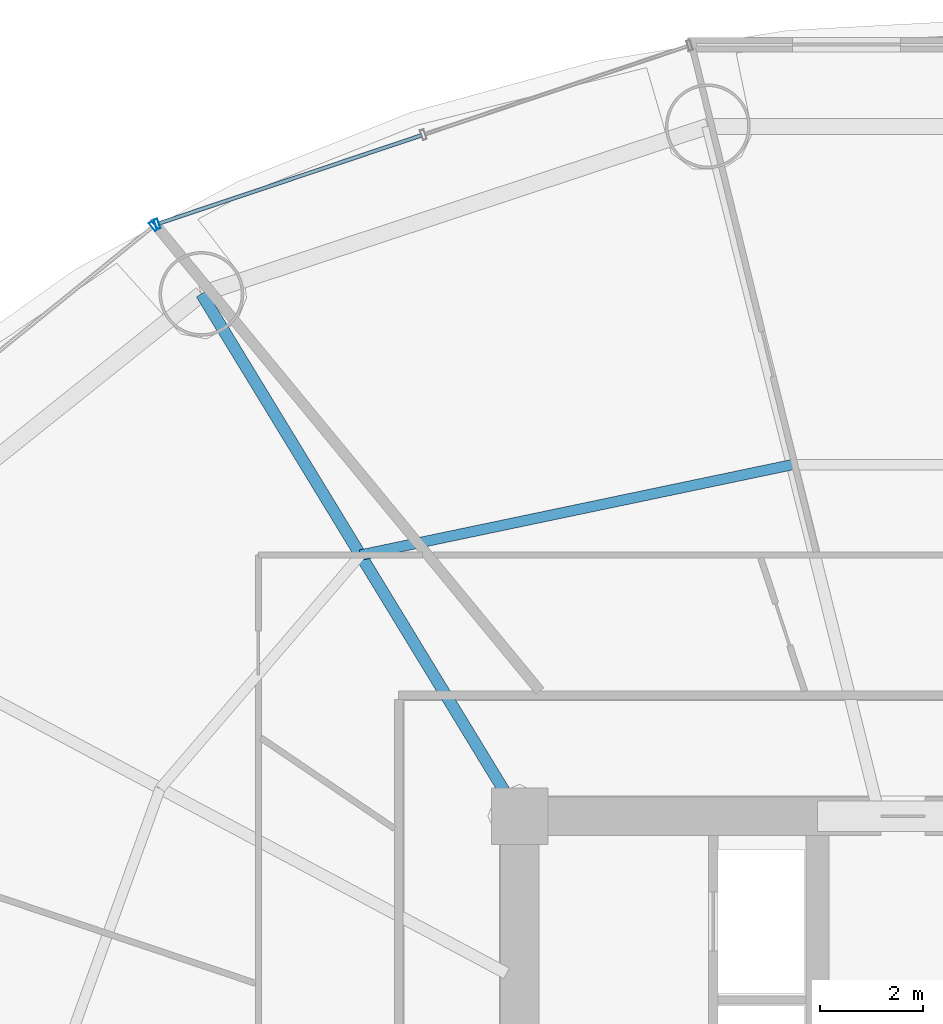
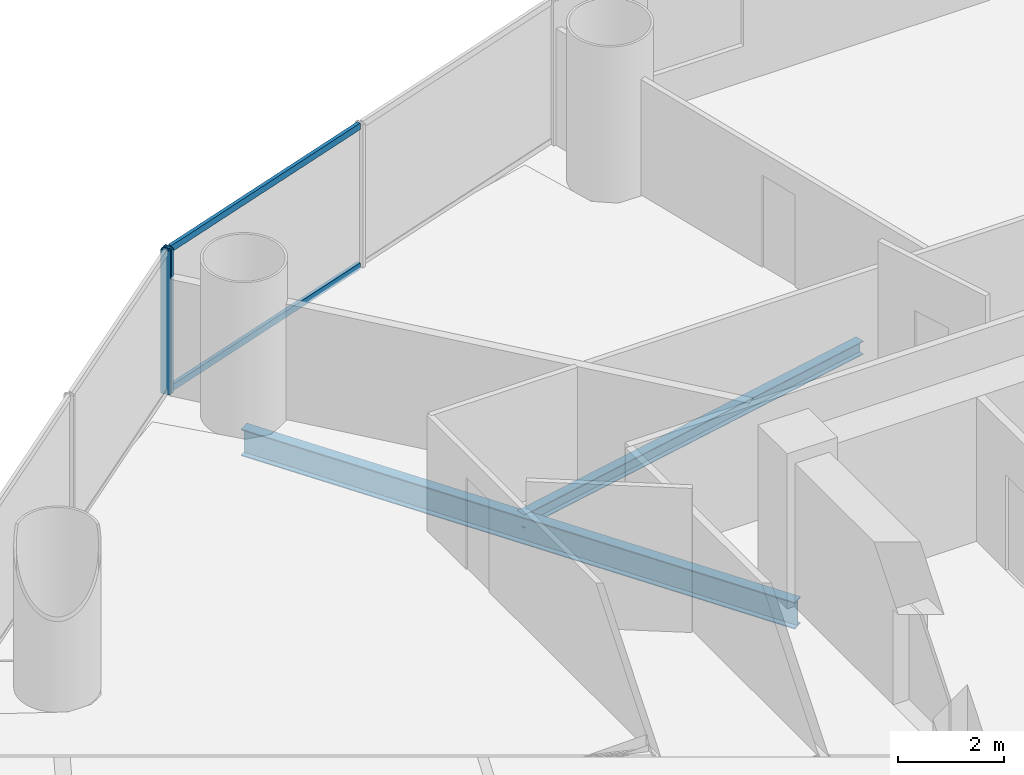
# One storey, part 14 of 28: 4 members, 2 beams, 2 elements without a shape of their own.
"""IFC4 building model written with IfcOpenShell, lengths in metres."""

from ifc_helpers import new_model, si_unit, direction, frame, origin, origin_2d, place, context, subcontext, project, spatial, hollow_rectangle, i_section, extrude, source, transform, mapped, material, material_profile, profile_set, type_object, element, aggregate, save


model = new_model("IFC4")

# Units and contexts
model_context = context("Model", 3, precision=1e-05, world=origin(), true_north=direction((-0.2419218956, 0.970295726276)))
body_context = subcontext(model_context, "Body", "Model", "MODEL_VIEW")
ifc_project = project(units=[si_unit("LENGTHUNIT", "METRE"), si_unit("AREAUNIT", "SQUARE_METRE"), si_unit("VOLUMEUNIT", "CUBIC_METRE"), si_unit("PLANEANGLEUNIT", "RADIAN"), si_unit("MASSUNIT", "GRAM", prefix="KILO")], contexts=[model_context])

# Site, building, storey
site_placement = place(None, origin())
site = spatial("IfcSite", under=ifc_project, at=site_placement, CompositionType="ELEMENT")
building_placement = place(site_placement, origin())
building = spatial("IfcBuilding", under=site, at=building_placement, Name="Cobrevalo Terracotta Tower", CompositionType="ELEMENT")
storey_placement = place(building_placement, frame((0.0, 0.0, 34.800048828125)))
storey = spatial("IfcBuildingStorey", under=building, at=storey_placement, Name="L08", CompositionType="ELEMENT", Elevation=34.800048828125)

# Beams
ifc_material_1 = material(Name="Steel S355", Category="steel")
ifc_material_profile_1 = material_profile(ifc_material_1, i_section(OverallWidth=0.22998046875, OverallDepth=0.616943359375, WebThickness=0.01318359375, FlangeThickness=0.022216796875, at=origin_2d()), Name="W 610x140")
ifc_profile_set_1 = profile_set([ifc_material_profile_1], Name="Steel S355")
beam_type_1 = type_object("IfcBeamType", Name="Structural Beam W 610x140 (Steel S355)", PredefinedType="BEAM", material=ifc_profile_set_1)
beam_1_placement = place(storey_placement, frame((22.80517578125, 44.967529296875, -0.588623046875), z_axis=(0.520309892051, -0.853977526773, 0.0), x_axis=(0.853977526773, 0.520309892051, 0.0)))
element("IfcBeam", 1, at=beam_1_placement, inside=storey, type_object=beam_type_1, Name="L08 radial floor girder 06", PredefinedType="BEAM", context=body_context, shape_type="SweptSolid", body=[
    extrude(i_section(OverallWidth=0.22998046875, OverallDepth=0.616943359375, WebThickness=0.01318359375, FlangeThickness=0.022216796875, at=origin_2d()), origin(), (0.0, 0.0, 1.0), 11.906005859375),
])
ifc_material_profile_2 = material_profile(ifc_material_1, i_section(OverallWidth=0.2041015625, OverallDepth=0.305908203125, WebThickness=0.008544921875, FlangeThickness=0.0146484375, at=origin_2d()), Name="W 310x67")
ifc_profile_set_2 = profile_set([ifc_material_profile_2], Name="Steel S355")
beam_type_2 = type_object("IfcBeamType", Name="Structural Joist W 310x67 (Steel S355)", PredefinedType="JOIST", material=ifc_profile_set_2)
beam_2_placement = place(storey_placement, frame((34.304443359375, 41.642578125, -0.43310546875), z_axis=(-0.978784523904, -0.204892302848, 0.0), x_axis=(0.204892302848, -0.978784523904, 0.0)))
element("IfcBeam", 2, at=beam_2_placement, inside=storey, type_object=beam_type_2, Name="L08 circumferential secondary floor joist 05", PredefinedType="JOIST", context=body_context, shape_type="SweptSolid", body=[
    extrude(i_section(OverallWidth=0.2041015625, OverallDepth=0.305908203125, WebThickness=0.008544921875, FlangeThickness=0.0146484375, at=origin_2d()), origin(), (0.0, 0.0, 1.0), 8.583984375),
])

# Curtain wall, member
ifc_material_2 = material(Name="Anodized aluminium", Category="aluminium")
curtain_wall_type = type_object("IfcCurtainWallType", Name="Lower-tower unitised acoustic low-E curtain wall CW-U1", PredefinedType="NOTDEFINED", material=ifc_material_2)
curtain_wall_1_placement = place(storey_placement, origin())
curtain_wall_1 = element("IfcCurtainWall", 3, at=curtain_wall_1_placement, inside=storey, type_object=curtain_wall_type, Name="L08 curtain wall CW-L08-S05", PredefinedType="NOTDEFINED")
ifc_material_profile_3 = material_profile(ifc_material_2, hollow_rectangle(XDim=0.074951171875, YDim=0.199951171875, WallThickness=0.0048828125, at=origin_2d()), Name="CWM 75x200")
ifc_profile_set_3 = profile_set([ifc_material_profile_3], Name="Anodized aluminium")
member_type_1 = type_object("IfcMemberType", Name="Lower/mid tower unitised mullion 75x200", PredefinedType="MULLION", material=ifc_profile_set_3)
shared_shape_1 = source(origin(), body_context, "Body", "SweptSolid", [
    extrude(hollow_rectangle(XDim=0.074951171875, YDim=0.199951171875, WallThickness=0.0048828125, at=origin_2d()), origin(), (0.0, 0.0, 1.0), 3.320068359375),
])
member_1_placement = place(storey_placement, frame((21.943115234375, 46.327392578125, 0.0), z_axis=(0.0, 0.0, 1.0), x_axis=(-0.948046393597, -0.318132103987, 0.0)))
member_1 = element("IfcMember", 4, at=member_1_placement, type_object=member_type_1, Name="CW-L08-S05 vertical mullion 03", PredefinedType="MULLION", context=body_context, shape_type="MappedRepresentation", body=[
    mapped(shared_shape_1, transform((0.0, 0.0, 0.0), scale=1.0)),
])

curtain_wall_2_placement = place(storey_placement, origin())
curtain_wall_2 = element("IfcCurtainWall", 5, at=curtain_wall_2_placement, inside=storey, type_object=curtain_wall_type, Name="L08 curtain wall CW-L08-S06", PredefinedType="NOTDEFINED")
member_2_placement = place(storey_placement, frame((21.8740234375, 46.289306640625, 0.0), z_axis=(0.0, 0.0, 1.0), x_axis=(-0.777003153187, -0.629496703675, 0.0)))
member_2 = element("IfcMember", 6, at=member_2_placement, type_object=member_type_1, Name="CW-L08-S06 vertical mullion 01", PredefinedType="MULLION", context=body_context, shape_type="MappedRepresentation", body=[
    mapped(shared_shape_1, transform((0.0, 0.0, 0.0), scale=1.0)),
])
aggregate(curtain_wall_2, [member_2])

# Member
ifc_material_profile_4 = material_profile(ifc_material_2, hollow_rectangle(XDim=0.074951171875, YDim=0.14990234375, WallThickness=0.00439453125, at=origin_2d()), Name="CWT 75x150")
ifc_profile_set_4 = profile_set([ifc_material_profile_4], Name="Anodized aluminium")
member_type_2 = type_object("IfcMemberType", Name="Tower unitised aluminium transom 75x150", PredefinedType="USERDEFINED", material=ifc_profile_set_4)
shared_shape_2 = source(origin(), body_context, "Body", "SweptSolid", [
    extrude(hollow_rectangle(XDim=0.074951171875, YDim=0.14990234375, WallThickness=0.00439453125, at=origin_2d()), origin(), (0.0, 0.0, 1.0), 5.387939453125),
])
member_3_placement = place(storey_placement, frame((27.0888671875, 48.05419921875, 0.050048828125), z_axis=(-0.94804244582, -0.318143868278, 0.0), x_axis=(0.318143868278, -0.94804244582, 0.0)))
member_3 = element("IfcMember", 7, at=member_3_placement, type_object=member_type_2, Name="CW-L08-S05 transom B02-T1", ObjectType="TRANSOM", PredefinedType="USERDEFINED", context=body_context, shape_type="MappedRepresentation", body=[
    mapped(shared_shape_2, transform((0.0, 0.0, 0.0), scale=1.0)),
])

member_4_placement = place(storey_placement, frame((27.0888671875, 48.05419921875, 3.27001953125), z_axis=(-0.94804244582, -0.318143868278, 0.0), x_axis=(0.318143868278, -0.94804244582, 0.0)))
member_4 = element("IfcMember", 8, at=member_4_placement, type_object=member_type_2, Name="CW-L08-S05 transom B02-T2", ObjectType="TRANSOM", PredefinedType="USERDEFINED", context=body_context, shape_type="MappedRepresentation", body=[
    mapped(shared_shape_2, transform((0.0, 0.0, 0.0), scale=1.0)),
])

aggregate(curtain_wall_1, [member_1, member_3, member_4])

save(model, "model.ifc")
